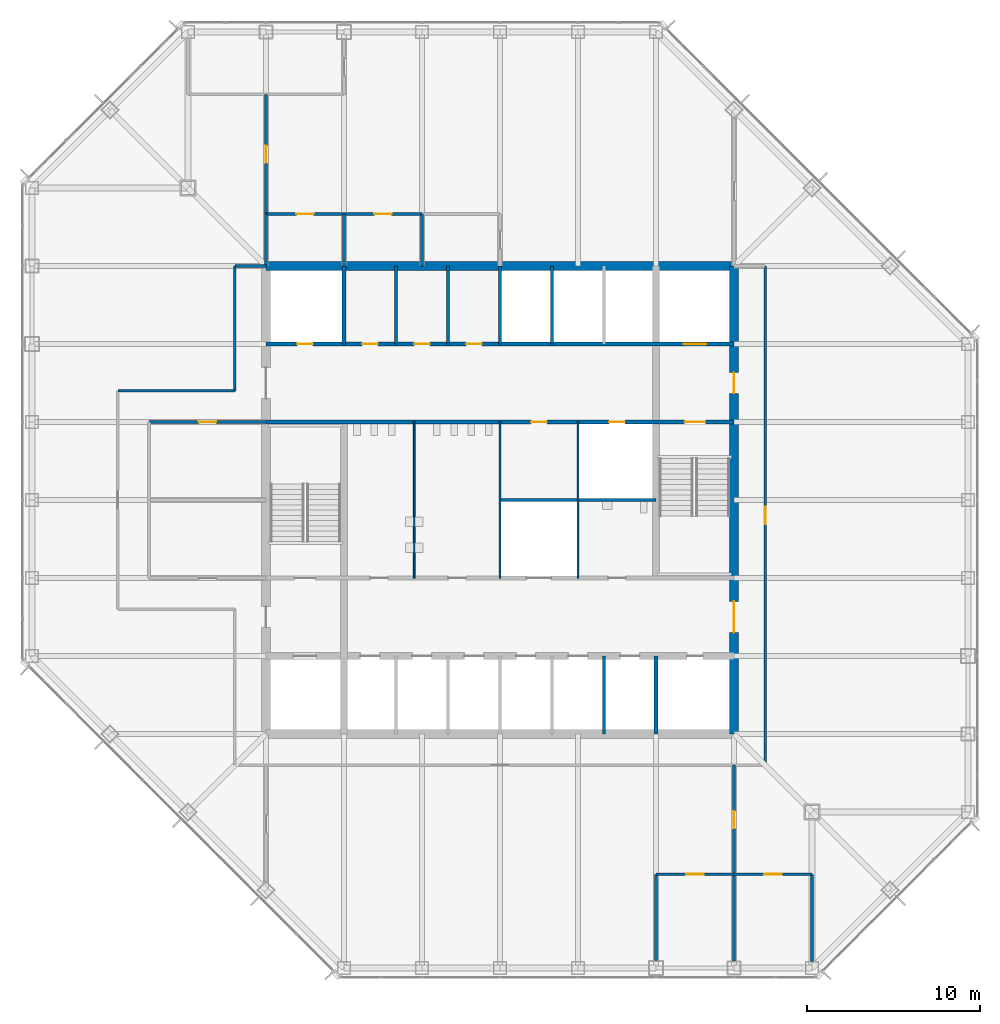
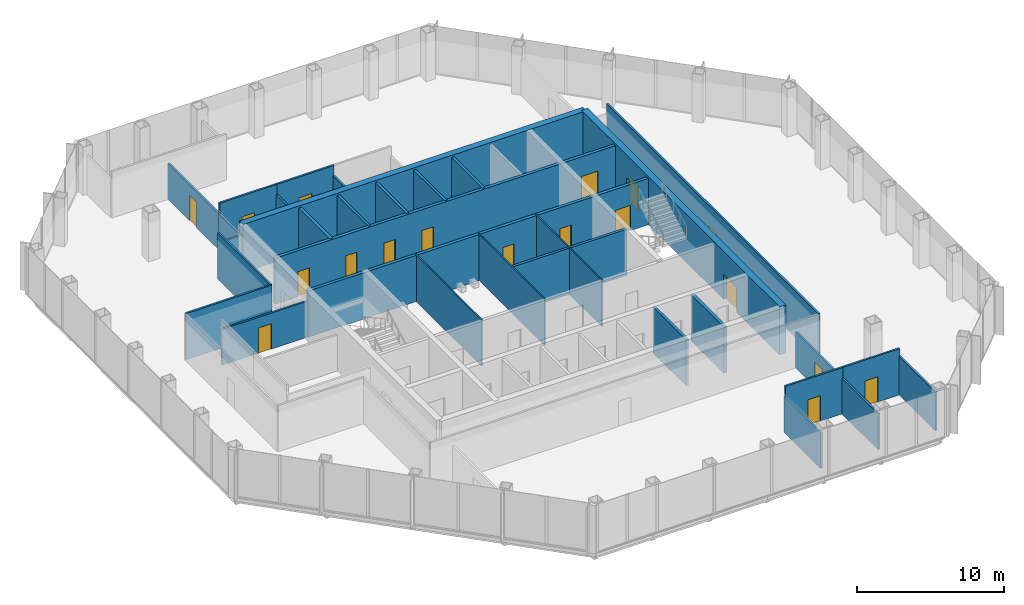
# One storey, part 9 of 12: 32 walls, 18 doors, 18 openings.
"""IFC4 building model written with IfcOpenShell, lengths in metres."""

from ifc_helpers import new_model, si_unit, direction, frame, frame_2d, origin, place, context, subcontext, project, spatial, rectangle, extrude, material, layer, layer_set, type_object, element, fill, save


model = new_model("IFC4")

# Units and contexts
model_context = context("Model", 3, precision=1e-05, world=origin(), true_north=direction((0.0, 1.0)))
body_context = subcontext(model_context, "Body", "Model", "MODEL_VIEW")
ifc_project = project(units=[si_unit("LENGTHUNIT", "METRE"), si_unit("AREAUNIT", "SQUARE_METRE"), si_unit("VOLUMEUNIT", "CUBIC_METRE"), si_unit("PLANEANGLEUNIT", "RADIAN"), si_unit("MASSUNIT", "GRAM", prefix="KILO")], contexts=[model_context])

# Site, building, storey
site_placement = place(None, origin())
site = spatial("IfcSite", under=ifc_project, at=site_placement, CompositionType="ELEMENT")
building_placement = place(site_placement, origin())
building = spatial("IfcBuilding", under=site, at=building_placement, Name="Corais Broadcast Tower", CompositionType="ELEMENT")
storey_placement = place(building_placement, frame((0.0, 0.0, 127.60009765625)))
storey = spatial("IfcBuildingStorey", under=building, at=storey_placement, Name="L28", CompositionType="ELEMENT", Elevation=127.60009765625)

# Walls
ifc_material_1 = material(Name="Concrete blockwork class A, grouted, two-hour", Category="masonry")
ifc_layer_1 = layer(ifc_material_1, 0.25)
ifc_layer_set_1 = layer_set([ifc_layer_1], Name="Concrete blockwork class A, grouted, two-hour")
wall_type_1 = type_object("IfcWallType", Name="Core lobby wall 250", PredefinedType="SOLIDWALL", material=ifc_layer_set_1)
for number, where, z_axis, x_axis, name in (
    (1, (18.0, 36.0, 0.0), (0.0, 0.0, 1.0), (0.0, 1.0, 0.0), "CL2 core shaft wall X18B L28"),
    (2, (36.0, 13.5, 0.0), (0.0, 0.0, 1.0), (0.0, 1.0, 0.0), "CL2 core shaft wall X36A L28"),
):
    element("IfcWall", number, at=place(storey_placement, frame(where, z_axis=z_axis, x_axis=x_axis)), inside=storey, type_object=wall_type_1, Name=name, PredefinedType="SOLIDWALL", context=body_context, shape_type="SweptSolid", body=[
        extrude(rectangle(XDim=4.5, YDim=0.25, at=frame_2d((2.25, 0.0))), origin(), (0.0, 0.0, 1.0), 3.83984375),
    ])

# Wall, openings, doors
wall_1_placement = place(storey_placement, frame((13.5, 31.5, 0.0), z_axis=(0.0, 0.0, 1.0), x_axis=(1.0, 0.0, 0.0)))
wall_1 = element("IfcWall", 3, at=wall_1_placement, inside=storey, type_object=wall_type_1, Name="CL2 core lobby wall Y315 L28", PredefinedType="SOLIDWALL", context=body_context, shape_type="SweptSolid", body=[
    extrude(rectangle(XDim=27.0, YDim=0.25, at=frame_2d((13.5, 0.0))), origin(), (0.0, 0.0, 1.0), 3.83984375),
])
opening_1_placement = place(wall_1_placement, frame((24.14990234375, 0.0, 0.0)))
opening_1 = element("IfcOpeningElement", 4, at=opening_1_placement, cuts=wall_1, Name="Opening FD1", PredefinedType="OPENING", context=body_context, shape_type="SweptSolid", body=[
    extrude(rectangle(XDim=1.199951171875, YDim=2.10009765625, at=frame_2d((0.60009765625, 1.050048828125))), frame((0.0, 0.135009765625, 0.0), z_axis=(0.0, -1.0, 0.0), x_axis=(1.0, 0.0, 0.0)), (0.0, 0.0, 1.0), 0.27001953125),
])
opening_2_placement = place(wall_1_placement, frame((15.300048828125, 0.0, 0.0)))
opening_2 = element("IfcOpeningElement", 5, at=opening_2_placement, cuts=wall_1, Name="Opening RD1", PredefinedType="OPENING", context=body_context, shape_type="SweptSolid", body=[
    extrude(rectangle(XDim=0.89990234375, YDim=2.10009765625, at=frame_2d((0.449951171875, 1.050048828125))), frame((0.0, 0.135009765625, 0.0), z_axis=(0.0, -1.0, 0.0), x_axis=(1.0, 0.0, 0.0)), (0.0, 0.0, 1.0), 0.27001953125),
])
opening_3_placement = place(wall_1_placement, frame((19.800048828125, 0.0, 0.0)))
opening_3 = element("IfcOpeningElement", 6, at=opening_3_placement, cuts=wall_1, Name="Opening RD1", PredefinedType="OPENING", context=body_context, shape_type="SweptSolid", body=[
    extrude(rectangle(XDim=0.89990234375, YDim=2.10009765625, at=frame_2d((0.449951171875, 1.050048828125))), frame((0.0, 0.135009765625, 0.0), z_axis=(0.0, -1.0, 0.0), x_axis=(1.0, 0.0, 0.0)), (0.0, 0.0, 1.0), 0.27001953125),
])
ifc_material_2 = material(Name="Steel fire door", Category="steel")
door_type_1 = type_object("IfcDoorType", Name="Fire door 1200x2100", OperationType="SINGLE_SWING_LEFT", PredefinedType="DOOR", material=ifc_material_2)
door_1_placement = place(opening_1_placement, origin())
door_1 = element("IfcDoor", 7, at=door_1_placement, inside=storey, type_object=door_type_1, Name="FD1 stair B door L28", OperationType="SINGLE_SWING_RIGHT", OverallHeight=2.10009765625, OverallWidth=1.199951171875, PredefinedType="DOOR", context=body_context, shape_type="SweptSolid", body=[
    extrude(rectangle(XDim=1.199951171875, YDim=2.10009765625, at=frame_2d((0.60009765625, 1.050048828125))), frame((0.0, 0.02490234375, 0.0), z_axis=(0.0, -1.0, 0.0), x_axis=(1.0, 0.0, 0.0)), (0.0, 0.0, 1.0), 0.050048828125),
])
fill(opening_1, door_1)
ifc_material_3 = material(Name="Steel fire door", Category="steel")
door_type_2 = type_object("IfcDoorType", Name="Riser door 900x2100", OperationType="SINGLE_SWING_LEFT", PredefinedType="DOOR", material=ifc_material_3)
door_2_placement = place(opening_2_placement, origin())
door_2 = element("IfcDoor", 8, at=door_2_placement, inside=storey, type_object=door_type_2, Name="RD1 stationery store door L28", OperationType="SINGLE_SWING_RIGHT", OverallHeight=2.10009765625, OverallWidth=0.89990234375, PredefinedType="DOOR", context=body_context, shape_type="SweptSolid", body=[
    extrude(rectangle(XDim=0.89990234375, YDim=2.10009765625, at=frame_2d((0.449951171875, 1.050048828125))), frame((0.0, 0.02490234375, 0.0), z_axis=(0.0, -1.0, 0.0), x_axis=(1.0, 0.0, 0.0)), (0.0, 0.0, 1.0), 0.050048828125),
])
fill(opening_2, door_2)
door_3_placement = place(opening_3_placement, origin())
door_3 = element("IfcDoor", 9, at=door_3_placement, inside=storey, type_object=door_type_2, Name="RD1 riser door L28", OperationType="SINGLE_SWING_RIGHT", OverallHeight=2.10009765625, OverallWidth=0.89990234375, PredefinedType="DOOR", context=body_context, shape_type="SweptSolid", body=[
    extrude(rectangle(XDim=0.89990234375, YDim=2.10009765625, at=frame_2d((0.449951171875, 1.050048828125))), frame((0.0, 0.02490234375, 0.0), z_axis=(0.0, -1.0, 0.0), x_axis=(1.0, 0.0, 0.0)), (0.0, 0.0, 1.0), 0.050048828125),
])
fill(opening_3, door_3)

ifc_material_4 = material(Name="Concrete C50/60", Category="concrete")
ifc_layer_2 = layer(ifc_material_4, 0.5)
ifc_layer_set_2 = layer_set([ifc_layer_2], Name="Concrete C50/60")
wall_type_2 = type_object("IfcWallType", Name="Core wall 500", PredefinedType="SHEAR", material=ifc_layer_set_2)
wall_2_placement = place(storey_placement, frame((40.5, 13.5, 0.0), z_axis=(0.0, 0.0, 1.0), x_axis=(0.0, 1.0, 0.0)))
wall_2 = element("IfcWall", 10, at=wall_2_placement, inside=storey, type_object=wall_type_2, Name="CR500 core wall E L28", PredefinedType="SHEAR", context=body_context, shape_type="SweptSolid", body=[
    extrude(rectangle(XDim=27.0, YDim=0.5, at=frame_2d((13.5, 0.0))), origin(), (0.0, 0.0, 1.0), 4.0),
])
opening_4_placement = place(wall_2_placement, frame((5.85009765625, 0.0, 0.0)))
opening_4 = element("IfcOpeningElement", 11, at=opening_4_placement, cuts=wall_2, Name="Opening FD2", PredefinedType="OPENING", context=body_context, shape_type="SweptSolid", body=[
    extrude(rectangle(XDim=1.800048828125, YDim=2.10009765625, at=frame_2d((0.89990234375, 1.050048828125))), frame((0.0, 0.260009765625, 0.0), z_axis=(0.0, -1.0, 0.0), x_axis=(1.0, 0.0, 0.0)), (0.0, 0.0, 1.0), 0.52001953125),
])
opening_5_placement = place(wall_2_placement, frame((19.64990234375, 0.0, 0.0)))
opening_5 = element("IfcOpeningElement", 12, at=opening_5_placement, cuts=wall_2, Name="Opening FD1", PredefinedType="OPENING", context=body_context, shape_type="SweptSolid", body=[
    extrude(rectangle(XDim=1.199951171875, YDim=2.10009765625, at=frame_2d((0.60009765625, 1.050048828125))), frame((0.0, 0.260009765625, 0.0), z_axis=(0.0, -1.0, 0.0), x_axis=(1.0, 0.0, 0.0)), (0.0, 0.0, 1.0), 0.52001953125),
])
door_4_placement = place(opening_5_placement, origin())
door_4 = element("IfcDoor", 13, at=door_4_placement, inside=storey, type_object=door_type_1, Name="FD1 fire lobby B door L28", OperationType="SINGLE_SWING_RIGHT", OverallHeight=2.10009765625, OverallWidth=1.199951171875, PredefinedType="DOOR", context=body_context, shape_type="SweptSolid", body=[
    extrude(rectangle(XDim=1.199951171875, YDim=2.10009765625, at=frame_2d((0.60009765625, 1.050048828125))), frame((0.0, 0.02490234375, 0.0), z_axis=(0.0, -1.0, 0.0), x_axis=(1.0, 0.0, 0.0)), (0.0, 0.0, 1.0), 0.050048828125),
])
fill(opening_5, door_4)
ifc_material_5 = material(Name="Steel fire door", Category="steel")
door_type_3 = type_object("IfcDoorType", Name="Fire door pair 1800x2100", OperationType="DOUBLE_DOOR_SINGLE_SWING", PredefinedType="DOOR", material=ifc_material_5)
door_5_placement = place(opening_4_placement, origin())
door_5 = element("IfcDoor", 14, at=door_5_placement, inside=storey, type_object=door_type_3, Name="FD2 lift lobby door L28", OperationType="SINGLE_SWING_LEFT", OverallHeight=2.10009765625, OverallWidth=1.800048828125, PredefinedType="DOOR", context=body_context, shape_type="SweptSolid", body=[
    extrude(rectangle(XDim=1.800048828125, YDim=2.10009765625, at=frame_2d((0.89990234375, 1.050048828125))), frame((0.0, 0.02490234375, 0.0), z_axis=(0.0, -1.0, 0.0), x_axis=(1.0, 0.0, 0.0)), (0.0, 0.0, 1.0), 0.050048828125),
])
fill(opening_4, door_5)

# Wall
wall_3_placement = place(storey_placement, frame((40.5, 40.5, 0.0), z_axis=(0.0, 0.0, 1.0), x_axis=(-1.0, 0.0, 0.0)))
element("IfcWall", 15, at=wall_3_placement, inside=storey, type_object=wall_type_2, Name="CR500 core wall N L28", PredefinedType="SHEAR", context=body_context, shape_type="SweptSolid", body=[
    extrude(rectangle(XDim=27.0, YDim=0.5, at=frame_2d((13.5, 0.0))), origin(), (0.0, 0.0, 1.0), 4.0),
])

# Wall, openings, doors
ifc_material_6 = material(Name="Concrete blockwork class A, grouted, four-hour", Category="masonry")
ifc_layer_3 = layer(ifc_material_6, 0.25)
ifc_layer_set_3 = layer_set([ifc_layer_3], Name="Concrete blockwork class A, grouted, four-hour")
wall_type_3 = type_object("IfcWallType", Name="Emergency lift shaft wall 250", PredefinedType="SOLIDWALL", material=ifc_layer_set_3)
wall_4_placement = place(storey_placement, frame((13.5, 36.0, 0.0), z_axis=(0.0, 0.0, 1.0), x_axis=(1.0, 0.0, 0.0)))
wall_4 = element("IfcWall", 16, at=wall_4_placement, inside=storey, type_object=wall_type_3, Name="LS2 core lobby wall Y36 L28", PredefinedType="SOLIDWALL", context=body_context, shape_type="SweptSolid", body=[
    extrude(rectangle(XDim=27.0, YDim=0.25, at=frame_2d((13.5, 0.0))), origin(), (0.0, 0.0, 1.0), 3.83984375),
])
opening_6_placement = place(wall_4_placement, frame((1.800048828125, 0.0, 0.0)))
opening_6 = element("IfcOpeningElement", 17, at=opening_6_placement, cuts=wall_4, Name="Opening RD1", PredefinedType="OPENING", context=body_context, shape_type="SweptSolid", body=[
    extrude(rectangle(XDim=0.89990234375, YDim=2.10009765625, at=frame_2d((0.449951171875, 1.050048828125))), frame((0.0, 0.135009765625, 0.0), z_axis=(0.0, -1.0, 0.0), x_axis=(1.0, 0.0, 0.0)), (0.0, 0.0, 1.0), 0.27001953125),
])
opening_7_placement = place(wall_4_placement, frame((5.550048828125, 0.0, 0.0)))
opening_7 = element("IfcOpeningElement", 18, at=opening_7_placement, cuts=wall_4, Name="Opening RD1", PredefinedType="OPENING", context=body_context, shape_type="SweptSolid", body=[
    extrude(rectangle(XDim=0.89990234375, YDim=2.10009765625, at=frame_2d((0.449951171875, 1.050048828125))), frame((0.0, 0.135009765625, 0.0), z_axis=(0.0, -1.0, 0.0), x_axis=(1.0, 0.0, 0.0)), (0.0, 0.0, 1.0), 0.27001953125),
])
opening_8_placement = place(wall_4_placement, frame((8.550048828125, 0.0, 0.0)))
opening_8 = element("IfcOpeningElement", 19, at=opening_8_placement, cuts=wall_4, Name="Opening RD1", PredefinedType="OPENING", context=body_context, shape_type="SweptSolid", body=[
    extrude(rectangle(XDim=0.89990234375, YDim=2.10009765625, at=frame_2d((0.449951171875, 1.050048828125))), frame((0.0, 0.135009765625, 0.0), z_axis=(0.0, -1.0, 0.0), x_axis=(1.0, 0.0, 0.0)), (0.0, 0.0, 1.0), 0.27001953125),
])
opening_9_placement = place(wall_4_placement, frame((11.550048828125, 0.0, 0.0)))
opening_9 = element("IfcOpeningElement", 20, at=opening_9_placement, cuts=wall_4, Name="Opening RD1", PredefinedType="OPENING", context=body_context, shape_type="SweptSolid", body=[
    extrude(rectangle(XDim=0.89990234375, YDim=2.10009765625, at=frame_2d((0.449951171875, 1.050048828125))), frame((0.0, 0.135009765625, 0.0), z_axis=(0.0, -1.0, 0.0), x_axis=(1.0, 0.0, 0.0)), (0.0, 0.0, 1.0), 0.27001953125),
])
opening_10_placement = place(wall_4_placement, frame((24.10009765625, 0.0, 0.0)))
opening_10 = element("IfcOpeningElement", 21, at=opening_10_placement, cuts=wall_4, Name="Opening LD2", PredefinedType="OPENING", context=body_context, shape_type="SweptSolid", body=[
    extrude(rectangle(XDim=1.300048828125, YDim=2.199951171875, at=frame_2d((0.64990234375, 1.10009765625))), frame((0.0, 0.135009765625, 0.0), z_axis=(0.0, -1.0, 0.0), x_axis=(1.0, 0.0, 0.0)), (0.0, 0.0, 1.0), 0.27001953125),
])
ifc_material_7 = material(Name="Stainless steel lift door", Category="steel")
door_type_4 = type_object("IfcDoorType", Name="Lift landing door 1300x2200", OperationType="SLIDING_TO_LEFT", PredefinedType="DOOR", material=ifc_material_7)
door_6_placement = place(opening_10_placement, origin())
door_6 = element("IfcDoor", 22, at=door_6_placement, inside=storey, type_object=door_type_4, Name="LD2 FL2 landing door L28", OperationType="SLIDING_TO_LEFT", OverallHeight=2.199951171875, OverallWidth=1.300048828125, PredefinedType="DOOR", context=body_context, shape_type="SweptSolid", body=[
    extrude(rectangle(XDim=1.300048828125, YDim=2.199951171875, at=frame_2d((0.64990234375, 1.10009765625))), frame((0.0, 0.02490234375, 0.0), z_axis=(0.0, -1.0, 0.0), x_axis=(1.0, 0.0, 0.0)), (0.0, 0.0, 1.0), 0.050048828125),
])
fill(opening_10, door_6)
door_7_placement = place(opening_6_placement, origin())
door_7 = element("IfcDoor", 23, at=door_7_placement, inside=storey, type_object=door_type_2, Name="RD1 riser door L28", OperationType="SINGLE_SWING_LEFT", OverallHeight=2.10009765625, OverallWidth=0.89990234375, PredefinedType="DOOR", context=body_context, shape_type="SweptSolid", body=[
    extrude(rectangle(XDim=0.89990234375, YDim=2.10009765625, at=frame_2d((0.449951171875, 1.050048828125))), frame((0.0, 0.02490234375, 0.0), z_axis=(0.0, -1.0, 0.0), x_axis=(1.0, 0.0, 0.0)), (0.0, 0.0, 1.0), 0.050048828125),
])
fill(opening_6, door_7)
door_8_placement = place(opening_7_placement, origin())
door_8 = element("IfcDoor", 24, at=door_8_placement, inside=storey, type_object=door_type_2, Name="RD1 print room door L28", OperationType="SINGLE_SWING_LEFT", OverallHeight=2.10009765625, OverallWidth=0.89990234375, PredefinedType="DOOR", context=body_context, shape_type="SweptSolid", body=[
    extrude(rectangle(XDim=0.89990234375, YDim=2.10009765625, at=frame_2d((0.449951171875, 1.050048828125))), frame((0.0, 0.02490234375, 0.0), z_axis=(0.0, -1.0, 0.0), x_axis=(1.0, 0.0, 0.0)), (0.0, 0.0, 1.0), 0.050048828125),
])
fill(opening_7, door_8)
door_9_placement = place(opening_8_placement, origin())
door_9 = element("IfcDoor", 25, at=door_9_placement, inside=storey, type_object=door_type_2, Name="RD1 wellness room door L28", OperationType="SINGLE_SWING_LEFT", OverallHeight=2.10009765625, OverallWidth=0.89990234375, PredefinedType="DOOR", context=body_context, shape_type="SweptSolid", body=[
    extrude(rectangle(XDim=0.89990234375, YDim=2.10009765625, at=frame_2d((0.449951171875, 1.050048828125))), frame((0.0, 0.02490234375, 0.0), z_axis=(0.0, -1.0, 0.0), x_axis=(1.0, 0.0, 0.0)), (0.0, 0.0, 1.0), 0.050048828125),
])
fill(opening_8, door_9)
door_10_placement = place(opening_9_placement, origin())
door_10 = element("IfcDoor", 26, at=door_10_placement, inside=storey, type_object=door_type_2, Name="RD1 first aid room door L28", OperationType="SINGLE_SWING_LEFT", OverallHeight=2.10009765625, OverallWidth=0.89990234375, PredefinedType="DOOR", context=body_context, shape_type="SweptSolid", body=[
    extrude(rectangle(XDim=0.89990234375, YDim=2.10009765625, at=frame_2d((0.449951171875, 1.050048828125))), frame((0.0, 0.02490234375, 0.0), z_axis=(0.0, -1.0, 0.0), x_axis=(1.0, 0.0, 0.0)), (0.0, 0.0, 1.0), 0.050048828125),
])
fill(opening_9, door_10)

# Wall, opening, door
ifc_material_8 = material(Name="Gypsum board on steel studs", Category="steel")
ifc_layer_4 = layer(ifc_material_8, 0.14990234375)
ifc_layer_set_4 = layer_set([ifc_layer_4], Name="Gypsum board on steel studs")
wall_type_4 = type_object("IfcWallType", Name="Partition 150", PredefinedType="PARTITIONING", material=ifc_layer_set_4)
wall_5_placement = place(storey_placement, frame((42.300048828125, 11.699951171875, 0.0), z_axis=(0.0, 0.0, 1.0), x_axis=(0.0, 1.0, 0.0)))
wall_5 = element("IfcWall", 27, at=wall_5_placement, inside=storey, type_object=wall_type_4, Name="IW3 corridor wall L28", PredefinedType="PARTITIONING", context=body_context, shape_type="SweptSolid", body=[
    extrude(rectangle(XDim=28.800048828125, YDim=0.14990234375, at=frame_2d((14.39990234375, 0.0))), origin(), (0.0, 0.0, 1.0), 3.83984375),
])
opening_11_placement = place(wall_5_placement, frame((13.89990234375, 0.0, 0.0)))
opening_11 = element("IfcOpeningElement", 28, at=opening_11_placement, cuts=wall_5, Name="Opening D1", PredefinedType="OPENING", context=body_context, shape_type="SweptSolid", body=[
    extrude(rectangle(XDim=1.0, YDim=2.10009765625, at=frame_2d((0.5, 1.050048828125))), frame((0.0, 0.0849609375, 0.0), z_axis=(0.0, -1.0, 0.0), x_axis=(1.0, 0.0, 0.0)), (0.0, 0.0, 1.0), 0.169921875),
])
ifc_material_9 = material(Name="Timber door", Category="wood")
door_type_5 = type_object("IfcDoorType", Name="Single door 1000x2100", OperationType="SINGLE_SWING_LEFT", PredefinedType="DOOR", material=ifc_material_9)
door_11_placement = place(opening_11_placement, origin())
door_11 = element("IfcDoor", 29, at=door_11_placement, inside=storey, type_object=door_type_5, Name="D1 workplace door L28", OperationType="SINGLE_SWING_LEFT", OverallHeight=2.10009765625, OverallWidth=1.0, PredefinedType="DOOR", context=body_context, shape_type="SweptSolid", body=[
    extrude(rectangle(XDim=1.0, YDim=2.10009765625, at=frame_2d((0.5, 1.050048828125))), frame((0.0, 0.02490234375, 0.0), z_axis=(0.0, -1.0, 0.0), x_axis=(1.0, 0.0, 0.0)), (0.0, 0.0, 1.0), 0.050048828125),
])
fill(opening_11, door_11)

# Walls
wall_6_placement = place(storey_placement, frame((11.699951171875, 40.5, 0.0), z_axis=(0.0, 0.0, 1.0), x_axis=(0.0, -1.0, 0.0)))
element("IfcWall", 30, at=wall_6_placement, inside=storey, type_object=wall_type_4, Name="IW3 corridor wall L28", PredefinedType="PARTITIONING", context=body_context, shape_type="SweptSolid", body=[
    extrude(rectangle(XDim=7.199951171875, YDim=0.14990234375, at=frame_2d((3.60009765625, 0.0))), origin(), (0.0, 0.0, 1.0), 3.83984375),
])
wall_7_placement = place(storey_placement, frame((11.699951171875, 33.300048828125, 0.0), z_axis=(0.0, 0.0, 1.0), x_axis=(-1.0, 0.0, 0.0)))
element("IfcWall", 31, at=wall_7_placement, inside=storey, type_object=wall_type_4, Name="IW3 corridor wall L28", PredefinedType="PARTITIONING", context=body_context, shape_type="SweptSolid", body=[
    extrude(rectangle(XDim=6.75, YDim=0.14990234375, at=frame_2d((3.375, 0.0))), origin(), (0.0, 0.0, 1.0), 3.83984375),
])
wall_8_placement = place(storey_placement, frame((13.5, 40.5, 0.0), z_axis=(0.0, 0.0, 1.0), x_axis=(-1.0, 0.0, 0.0)))
element("IfcWall", 32, at=wall_8_placement, inside=storey, type_object=wall_type_4, Name="IW3 corridor wall L28", PredefinedType="PARTITIONING", context=body_context, shape_type="SweptSolid", body=[
    extrude(rectangle(XDim=1.800048828125, YDim=0.14990234375, at=frame_2d((0.89990234375, 0.0))), origin(), (0.0, 0.0, 1.0), 2.989013671875),
])

# Wall, opening, door
wall_9_placement = place(storey_placement, frame((13.5, 31.5, 0.0), z_axis=(0.0, 0.0, 1.0), x_axis=(-1.0, 0.0, 0.0)))
wall_9 = element("IfcWall", 33, at=wall_9_placement, inside=storey, type_object=wall_type_4, Name="IW3 partition L28", PredefinedType="PARTITIONING", context=body_context, shape_type="SweptSolid", body=[
    extrude(rectangle(XDim=6.75, YDim=0.14990234375, at=frame_2d((3.375, 0.0))), origin(), (0.0, 0.0, 1.0), 2.989013671875),
])
opening_12_placement = place(wall_9_placement, frame((2.875, 0.0, 0.0)))
opening_12 = element("IfcOpeningElement", 34, at=opening_12_placement, cuts=wall_9, Name="Opening D1", PredefinedType="OPENING", context=body_context, shape_type="SweptSolid", body=[
    extrude(rectangle(XDim=1.0, YDim=2.10009765625, at=frame_2d((0.5, 1.050048828125))), frame((0.0, 0.0849609375, 0.0), z_axis=(0.0, -1.0, 0.0), x_axis=(1.0, 0.0, 0.0)), (0.0, 0.0, 1.0), 0.169921875),
])
door_12_placement = place(opening_12_placement, origin())
door_12 = element("IfcDoor", 35, at=door_12_placement, inside=storey, type_object=door_type_5, Name="D1 Meeting room door", OperationType="SINGLE_SWING_LEFT", OverallHeight=2.10009765625, OverallWidth=1.0, PredefinedType="DOOR", context=body_context, shape_type="SweptSolid", body=[
    extrude(rectangle(XDim=1.0, YDim=2.10009765625, at=frame_2d((0.5, 1.050048828125))), frame((0.0, 0.02490234375, 0.0), z_axis=(0.0, -1.0, 0.0), x_axis=(1.0, 0.0, 0.0)), (0.0, 0.0, 1.0), 0.050048828125),
])
fill(opening_12, door_12)

# Wall
wall_10_placement = place(storey_placement, frame((40.5, 0.409912109375, 0.0), z_axis=(0.0, 0.0, 1.0), x_axis=(0.0, 1.0, 0.0)))
element("IfcWall", 36, at=wall_10_placement, inside=storey, type_object=wall_type_4, Name="IW3 partition L28", PredefinedType="PARTITIONING", context=body_context, shape_type="SweptSolid", body=[
    extrude(rectangle(XDim=4.989990234375, YDim=0.14990234375, at=frame_2d((2.4951171875, 0.0))), origin(), (0.0, 0.0, 1.0), 2.989013671875),
])

# Wall, opening, door
wall_11_placement = place(storey_placement, frame((40.5, 5.39990234375, 0.0), z_axis=(0.0, 0.0, 1.0), x_axis=(-1.0, 0.0, 0.0)))
wall_11 = element("IfcWall", 37, at=wall_11_placement, inside=storey, type_object=wall_type_4, Name="IW3 partition L28", PredefinedType="PARTITIONING", context=body_context, shape_type="SweptSolid", body=[
    extrude(rectangle(XDim=4.5, YDim=0.14990234375, at=frame_2d((2.25, 0.0))), origin(), (0.0, 0.0, 1.0), 3.83984375),
])
opening_13_placement = place(wall_11_placement, frame((1.75, 0.0, 0.0)))
opening_13 = element("IfcOpeningElement", 38, at=opening_13_placement, cuts=wall_11, Name="Opening D1", PredefinedType="OPENING", context=body_context, shape_type="SweptSolid", body=[
    extrude(rectangle(XDim=1.0, YDim=2.10009765625, at=frame_2d((0.5, 1.050048828125))), frame((0.0, 0.0849609375, 0.0), z_axis=(0.0, -1.0, 0.0), x_axis=(1.0, 0.0, 0.0)), (0.0, 0.0, 1.0), 0.169921875),
])
door_13_placement = place(opening_13_placement, origin())
door_13 = element("IfcDoor", 39, at=door_13_placement, inside=storey, type_object=door_type_5, Name="D1 Office door", OperationType="SINGLE_SWING_LEFT", OverallHeight=2.10009765625, OverallWidth=1.0, PredefinedType="DOOR", context=body_context, shape_type="SweptSolid", body=[
    extrude(rectangle(XDim=1.0, YDim=2.10009765625, at=frame_2d((0.5, 1.050048828125))), frame((0.0, 0.02490234375, 0.0), z_axis=(0.0, -1.0, 0.0), x_axis=(1.0, 0.0, 0.0)), (0.0, 0.0, 1.0), 0.050048828125),
])
fill(opening_13, door_13)

# Walls
wall_12_placement = place(storey_placement, frame((36.0, 5.39990234375, 0.0), z_axis=(0.0, 0.0, 1.0), x_axis=(0.0, -1.0, 0.0)))
element("IfcWall", 40, at=wall_12_placement, inside=storey, type_object=wall_type_4, Name="IW3 partition L28", PredefinedType="PARTITIONING", context=body_context, shape_type="SweptSolid", body=[
    extrude(rectangle(XDim=4.96484375, YDim=0.14990234375, at=frame_2d((2.482421875, 0.0))), origin(), (0.0, 0.0, 1.0), 2.989013671875),
])
wall_13_placement = place(storey_placement, frame((45.0, 0.385009765625, 0.0), z_axis=(0.0, 0.0, 1.0), x_axis=(0.0, 1.0, 0.0)))
element("IfcWall", 41, at=wall_13_placement, inside=storey, type_object=wall_type_4, Name="IW3 partition L28", PredefinedType="PARTITIONING", context=body_context, shape_type="SweptSolid", body=[
    extrude(rectangle(XDim=5.014892578125, YDim=0.14990234375, at=frame_2d((2.50732421875, 0.0))), origin(), (0.0, 0.0, 1.0), 3.22900390625),
])

# Wall, opening, door
wall_14_placement = place(storey_placement, frame((45.0, 5.39990234375, 0.0), z_axis=(0.0, 0.0, 1.0), x_axis=(-1.0, 0.0, 0.0)))
wall_14 = element("IfcWall", 42, at=wall_14_placement, inside=storey, type_object=wall_type_4, Name="IW3 partition L28", PredefinedType="PARTITIONING", context=body_context, shape_type="SweptSolid", body=[
    extrude(rectangle(XDim=4.5, YDim=0.14990234375, at=frame_2d((2.25, 0.0))), origin(), (0.0, 0.0, 1.0), 3.83984375),
])
opening_14_placement = place(wall_14_placement, frame((1.75, 0.0, 0.0)))
opening_14 = element("IfcOpeningElement", 43, at=opening_14_placement, cuts=wall_14, Name="Opening D1", PredefinedType="OPENING", context=body_context, shape_type="SweptSolid", body=[
    extrude(rectangle(XDim=1.0, YDim=2.10009765625, at=frame_2d((0.5, 1.050048828125))), frame((0.0, 0.0849609375, 0.0), z_axis=(0.0, -1.0, 0.0), x_axis=(1.0, 0.0, 0.0)), (0.0, 0.0, 1.0), 0.169921875),
])
door_14_placement = place(opening_14_placement, origin())
door_14 = element("IfcDoor", 44, at=door_14_placement, inside=storey, type_object=door_type_5, Name="D1 Office door", OperationType="SINGLE_SWING_LEFT", OverallHeight=2.10009765625, OverallWidth=1.0, PredefinedType="DOOR", context=body_context, shape_type="SweptSolid", body=[
    extrude(rectangle(XDim=1.0, YDim=2.10009765625, at=frame_2d((0.5, 1.050048828125))), frame((0.0, 0.02490234375, 0.0), z_axis=(0.0, -1.0, 0.0), x_axis=(1.0, 0.0, 0.0)), (0.0, 0.0, 1.0), 0.050048828125),
])
fill(opening_14, door_14)

# Wall
wall_15_placement = place(storey_placement, frame((18.0, 40.5, 0.0), z_axis=(0.0, 0.0, 1.0), x_axis=(0.0, 1.0, 0.0)))
element("IfcWall", 45, at=wall_15_placement, inside=storey, type_object=wall_type_4, Name="IW3 partition L28", PredefinedType="PARTITIONING", context=body_context, shape_type="SweptSolid", body=[
    extrude(rectangle(XDim=3.0, YDim=0.14990234375, at=frame_2d((1.5, 0.0))), origin(), (0.0, 0.0, 1.0), 2.989013671875),
])

# Wall, opening, door
wall_16_placement = place(storey_placement, frame((18.0, 43.5, 0.0), z_axis=(0.0, 0.0, 1.0), x_axis=(-1.0, 0.0, 0.0)))
wall_16 = element("IfcWall", 46, at=wall_16_placement, inside=storey, type_object=wall_type_4, Name="IW3 partition L28", PredefinedType="PARTITIONING", context=body_context, shape_type="SweptSolid", body=[
    extrude(rectangle(XDim=4.5, YDim=0.14990234375, at=frame_2d((2.25, 0.0))), origin(), (0.0, 0.0, 1.0), 3.83984375),
])
opening_15_placement = place(wall_16_placement, frame((1.75, 0.0, 0.0)))
opening_15 = element("IfcOpeningElement", 47, at=opening_15_placement, cuts=wall_16, Name="Opening D1", PredefinedType="OPENING", context=body_context, shape_type="SweptSolid", body=[
    extrude(rectangle(XDim=1.0, YDim=2.10009765625, at=frame_2d((0.5, 1.050048828125))), frame((0.0, 0.0849609375, 0.0), z_axis=(0.0, -1.0, 0.0), x_axis=(1.0, 0.0, 0.0)), (0.0, 0.0, 1.0), 0.169921875),
])
door_15_placement = place(opening_15_placement, origin())
door_15 = element("IfcDoor", 48, at=door_15_placement, inside=storey, type_object=door_type_5, Name="D1 Quiet room door", OperationType="SINGLE_SWING_LEFT", OverallHeight=2.10009765625, OverallWidth=1.0, PredefinedType="DOOR", context=body_context, shape_type="SweptSolid", body=[
    extrude(rectangle(XDim=1.0, YDim=2.10009765625, at=frame_2d((0.5, 1.050048828125))), frame((0.0, 0.02490234375, 0.0), z_axis=(0.0, -1.0, 0.0), x_axis=(1.0, 0.0, 0.0)), (0.0, 0.0, 1.0), 0.050048828125),
])
fill(opening_15, door_15)

# Walls
for number, where, z_axis, x_axis, name in (
    (49, (13.5, 43.5, 0.0), (0.0, 0.0, 1.0), (0.0, -1.0, 0.0), "IW3 partition L28"),
    (50, (22.5, 40.5, 0.0), (0.0, 0.0, 1.0), (0.0, 1.0, 0.0), "IW3 partition L28"),
):
    element("IfcWall", number, at=place(storey_placement, frame(where, z_axis=z_axis, x_axis=x_axis)), inside=storey, type_object=wall_type_4, Name=name, PredefinedType="PARTITIONING", context=body_context, shape_type="SweptSolid", body=[
        extrude(rectangle(XDim=3.0, YDim=0.14990234375, at=frame_2d((1.5, 0.0))), origin(), (0.0, 0.0, 1.0), 2.989013671875),
    ])

# Wall, opening, door
wall_17_placement = place(storey_placement, frame((22.5, 43.5, 0.0), z_axis=(0.0, 0.0, 1.0), x_axis=(-1.0, 0.0, 0.0)))
wall_17 = element("IfcWall", 51, at=wall_17_placement, inside=storey, type_object=wall_type_4, Name="IW3 partition L28", PredefinedType="PARTITIONING", context=body_context, shape_type="SweptSolid", body=[
    extrude(rectangle(XDim=4.5, YDim=0.14990234375, at=frame_2d((2.25, 0.0))), origin(), (0.0, 0.0, 1.0), 3.83984375),
])
opening_16_placement = place(wall_17_placement, frame((1.75, 0.0, 0.0)))
opening_16 = element("IfcOpeningElement", 52, at=opening_16_placement, cuts=wall_17, Name="Opening D1", PredefinedType="OPENING", context=body_context, shape_type="SweptSolid", body=[
    extrude(rectangle(XDim=1.0, YDim=2.10009765625, at=frame_2d((0.5, 1.050048828125))), frame((0.0, 0.0849609375, 0.0), z_axis=(0.0, -1.0, 0.0), x_axis=(1.0, 0.0, 0.0)), (0.0, 0.0, 1.0), 0.169921875),
])
door_16_placement = place(opening_16_placement, origin())
door_16 = element("IfcDoor", 53, at=door_16_placement, inside=storey, type_object=door_type_5, Name="D1 Quiet room door", OperationType="SINGLE_SWING_LEFT", OverallHeight=2.10009765625, OverallWidth=1.0, PredefinedType="DOOR", context=body_context, shape_type="SweptSolid", body=[
    extrude(rectangle(XDim=1.0, YDim=2.10009765625, at=frame_2d((0.5, 1.050048828125))), frame((0.0, 0.02490234375, 0.0), z_axis=(0.0, -1.0, 0.0), x_axis=(1.0, 0.0, 0.0)), (0.0, 0.0, 1.0), 0.050048828125),
])
fill(opening_16, door_16)

wall_18_placement = place(storey_placement, frame((13.5, 43.5, 0.0), z_axis=(0.0, 0.0, 1.0), x_axis=(0.0, 1.0, 0.0)))
wall_18 = element("IfcWall", 54, at=wall_18_placement, inside=storey, type_object=wall_type_4, Name="IW3 partition L28", PredefinedType="PARTITIONING", context=body_context, shape_type="SweptSolid", body=[
    extrude(rectangle(XDim=6.89990234375, YDim=0.14990234375, at=frame_2d((3.449951171875, 0.0))), origin(), (0.0, 0.0, 1.0), 2.989013671875),
])
opening_17_placement = place(wall_18_placement, frame((2.949951171875, 0.0, 0.0)))
opening_17 = element("IfcOpeningElement", 55, at=opening_17_placement, cuts=wall_18, Name="Opening D1", PredefinedType="OPENING", context=body_context, shape_type="SweptSolid", body=[
    extrude(rectangle(XDim=1.0, YDim=2.10009765625, at=frame_2d((0.5, 1.050048828125))), frame((0.0, 0.0849609375, 0.0), z_axis=(0.0, -1.0, 0.0), x_axis=(1.0, 0.0, 0.0)), (0.0, 0.0, 1.0), 0.169921875),
])
door_17_placement = place(opening_17_placement, origin())
door_17 = element("IfcDoor", 56, at=door_17_placement, inside=storey, type_object=door_type_5, Name="D1 team room door L28", OperationType="SINGLE_SWING_LEFT", OverallHeight=2.10009765625, OverallWidth=1.0, PredefinedType="DOOR", context=body_context, shape_type="SweptSolid", body=[
    extrude(rectangle(XDim=1.0, YDim=2.10009765625, at=frame_2d((0.5, 1.050048828125))), frame((0.0, 0.02490234375, 0.0), z_axis=(0.0, -1.0, 0.0), x_axis=(1.0, 0.0, 0.0)), (0.0, 0.0, 1.0), 0.050048828125),
])
fill(opening_17, door_17)

wall_19_placement = place(storey_placement, frame((40.5, 5.39990234375, 0.0), z_axis=(0.0, 0.0, 1.0), x_axis=(0.0, 1.0, 0.0)))
wall_19 = element("IfcWall", 57, at=wall_19_placement, inside=storey, type_object=wall_type_4, Name="IW3 partition L28", PredefinedType="PARTITIONING", context=body_context, shape_type="SweptSolid", body=[
    extrude(rectangle(XDim=6.300048828125, YDim=0.14990234375, at=frame_2d((3.14990234375, 0.0))), origin(), (0.0, 0.0, 1.0), 2.989013671875),
])
opening_18_placement = place(wall_19_placement, frame((2.64990234375, 0.0, 0.0)))
opening_18 = element("IfcOpeningElement", 58, at=opening_18_placement, cuts=wall_19, Name="Opening D1", PredefinedType="OPENING", context=body_context, shape_type="SweptSolid", body=[
    extrude(rectangle(XDim=1.0, YDim=2.10009765625, at=frame_2d((0.5, 1.050048828125))), frame((0.0, 0.0849609375, 0.0), z_axis=(0.0, -1.0, 0.0), x_axis=(1.0, 0.0, 0.0)), (0.0, 0.0, 1.0), 0.169921875),
])
door_18_placement = place(opening_18_placement, origin())
door_18 = element("IfcDoor", 59, at=door_18_placement, inside=storey, type_object=door_type_5, Name="D1 team room door L28", OperationType="SINGLE_SWING_LEFT", OverallHeight=2.10009765625, OverallWidth=1.0, PredefinedType="DOOR", context=body_context, shape_type="SweptSolid", body=[
    extrude(rectangle(XDim=1.0, YDim=2.10009765625, at=frame_2d((0.5, 1.050048828125))), frame((0.0, 0.02490234375, 0.0), z_axis=(0.0, -1.0, 0.0), x_axis=(1.0, 0.0, 0.0)), (0.0, 0.0, 1.0), 0.050048828125),
])
fill(opening_18, door_18)

# Walls
ifc_material_10 = material(Name="Concrete blockwork class A, grouted, two-hour", Category="masonry")
ifc_layer_5 = layer(ifc_material_10, 0.199951171875)
ifc_layer_set_5 = layer_set([ifc_layer_5], Name="Concrete blockwork class A, grouted, two-hour")
wall_type_5 = type_object("IfcWallType", Name="Shaft wall 200", PredefinedType="PARTITIONING", material=ifc_layer_set_5)
for number, where, z_axis, x_axis, name in (
    (60, (21.0, 36.0, 0.0), (0.0, 0.0, 1.0), (0.0, 1.0, 0.0), "IW1 shaft wall L28"),
    (61, (24.0, 36.0, 0.0), (0.0, 0.0, 1.0), (0.0, 1.0, 0.0), "IW1 shaft wall L28"),
    (62, (27.0, 36.0, 0.0), (0.0, 0.0, 1.0), (0.0, 1.0, 0.0), "IW1 shaft wall L28"),
    (63, (30.0, 36.0, 0.0), (0.0, 0.0, 1.0), (0.0, 1.0, 0.0), "IW1 shaft wall L28"),
    (64, (33.0, 13.5, 0.0), (0.0, 0.0, 1.0), (0.0, 1.0, 0.0), "IW1 shaft wall L28"),
):
    element("IfcWall", number, at=place(storey_placement, frame(where, z_axis=z_axis, x_axis=x_axis)), inside=storey, type_object=wall_type_5, Name=name, PredefinedType="PARTITIONING", context=body_context, shape_type="SweptSolid", body=[
        extrude(rectangle(XDim=4.5, YDim=0.199951171875, at=frame_2d((2.25, 0.0))), origin(), (0.0, 0.0, 1.0), 3.83984375),
    ])
wall_20_placement = place(storey_placement, frame((27.0, 27.0, 0.0), z_axis=(0.0, 0.0, 1.0), x_axis=(1.0, 0.0, 0.0)))
element("IfcWall", 65, at=wall_20_placement, inside=storey, type_object=wall_type_5, Name="IW1 shaft wall L28", PredefinedType="PARTITIONING", context=body_context, shape_type="SweptSolid", body=[
    extrude(rectangle(XDim=9.0, YDim=0.199951171875, at=frame_2d((4.5, 0.0))), origin(), (0.0, 0.0, 1.0), 3.83984375),
])
ifc_material_11 = material(Name="Dense concrete blockwork class A, tiled both faces", Category="masonry")
ifc_layer_6 = layer(ifc_material_11, 0.10009765625)
ifc_layer_set_6 = layer_set([ifc_layer_6], Name="Dense concrete blockwork class A, tiled both faces")
wall_type_6 = type_object("IfcWallType", Name="Toilet wall 100", PredefinedType="PLUMBINGWALL", material=ifc_layer_set_6)
for number, where, z_axis, x_axis, name in (
    (66, (22.050048828125, 22.5, 0.0), (0.0, 0.0, 1.0), (0.0, 1.0, 0.0), "IW2 toilet wall L28"),
    (67, (27.0, 22.5, 0.0), (0.0, 0.0, 1.0), (0.0, 1.0, 0.0), "IW2 toilet wall L28"),
    (68, (31.5, 22.5, 0.0), (0.0, 0.0, 1.0), (0.0, 1.0, 0.0), "IW2 toilet wall L28"),
):
    element("IfcWall", number, at=place(storey_placement, frame(where, z_axis=z_axis, x_axis=x_axis)), inside=storey, type_object=wall_type_6, Name=name, PredefinedType="PLUMBINGWALL", context=body_context, shape_type="SweptSolid", body=[
        extrude(rectangle(XDim=9.0, YDim=0.10009765625, at=frame_2d((4.5, 0.0))), origin(), (0.0, 0.0, 1.0), 3.83984375),
    ])

save(model, "model.ifc")
